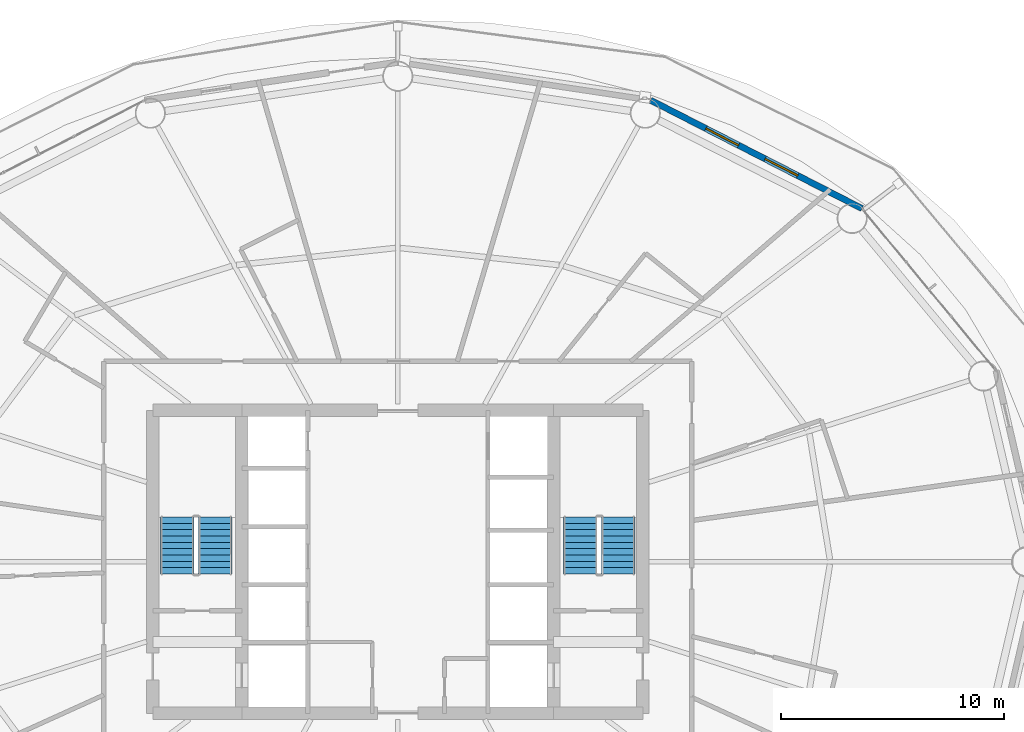
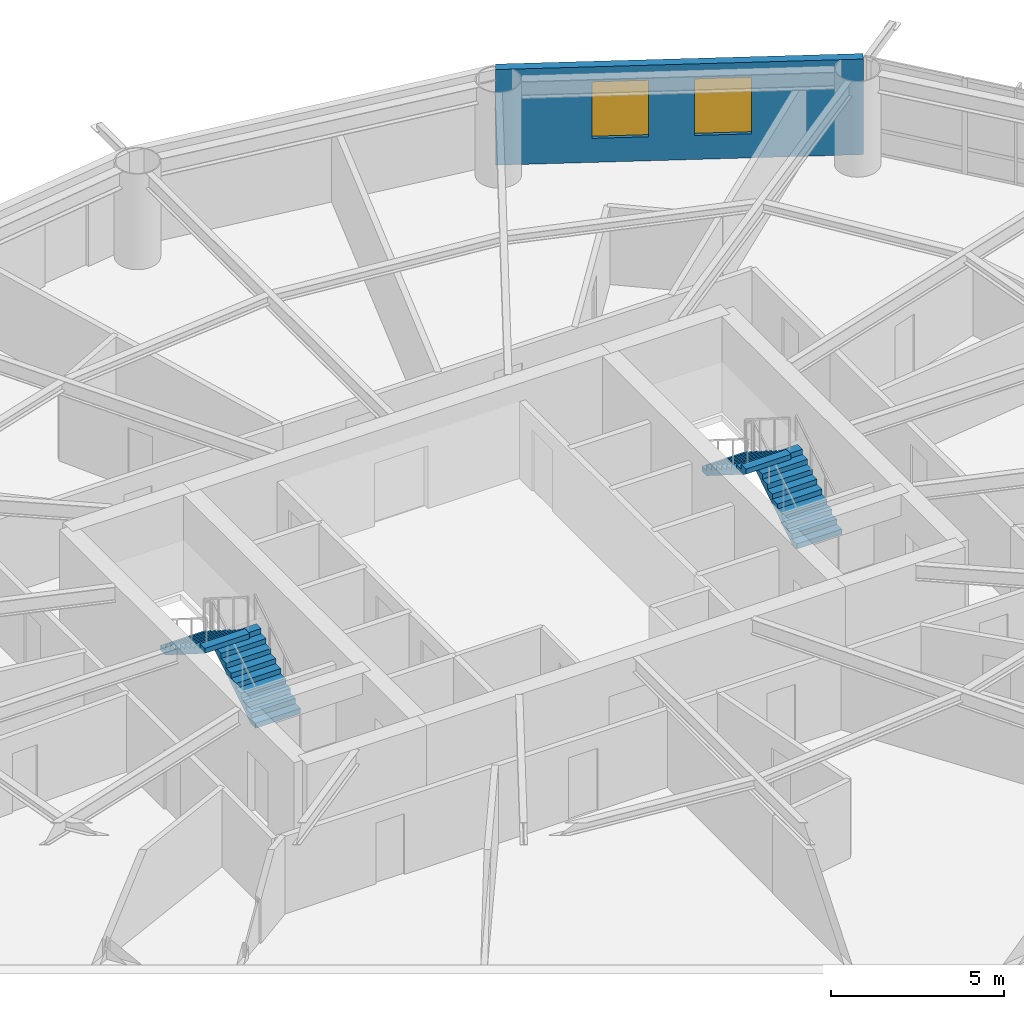
# One storey, part 21 of 24: 4 stair flights, 2 windows, 1 wall, 2 openings, 2 elements without a shape of their own.
"""IFC4 building model written with IfcOpenShell, lengths in metres."""

from ifc_helpers import new_model, si_unit, direction, frame, frame_2d, origin, place, context, subcontext, project, spatial, polyline, rectangle, outline, extrude, material, layer, layer_set, type_object, element, fill, aggregate, save


model = new_model("IFC4")

# Units and contexts
model_context = context("Model", 3, precision=1e-05, world=origin(), true_north=direction((0.0, 1.0)))
body_context = subcontext(model_context, "Body", "Model", "MODEL_VIEW")
ifc_project = project(units=[si_unit("LENGTHUNIT", "METRE"), si_unit("AREAUNIT", "SQUARE_METRE"), si_unit("VOLUMEUNIT", "CUBIC_METRE"), si_unit("PLANEANGLEUNIT", "RADIAN"), si_unit("MASSUNIT", "GRAM", prefix="KILO")], contexts=[model_context])

# Site, building, storey
site_placement = place(None, origin())
site = spatial("IfcSite", under=ifc_project, at=site_placement, CompositionType="ELEMENT")
building_placement = place(site_placement, origin())
building = spatial("IfcBuilding", under=site, at=building_placement, Name="Sarneth Arch Tower", CompositionType="ELEMENT")
storey_placement = place(building_placement, frame((0.0, 0.0, 123.60009765625)))
storey = spatial("IfcBuildingStorey", under=building, at=storey_placement, Name="L31", CompositionType="ELEMENT", Elevation=123.60009765625)

# Wall, openings, windows
ifc_material_1 = material(Name="Extruded terracotta rainscreen on Concrete C40/50 backing", Category="masonry")
ifc_layer = layer(ifc_material_1, 0.280029296875)
ifc_layer_set = layer_set([ifc_layer], Name="Extruded terracotta rainscreen on Concrete C40/50 backing")
wall_type = type_object("IfcWallType", Name="WALL-EXT-TERRA-280", PredefinedType="SOLIDWALL", material=ifc_layer_set)
wall_placement = place(storey_placement, frame((68.840087890625, 57.8603515625, 0.0), z_axis=(0.0, 0.0, 1.0), x_axis=(-0.889959505023, 0.45603955905, 0.0)))
wall = element("IfcWall", 1, at=wall_placement, inside=storey, type_object=wall_type, Name="L31 Terracotta perimeter wall 03", PredefinedType="SOLIDWALL", context=body_context, shape_type="SweptSolid", body=[
    extrude(rectangle(XDim=10.662109375, YDim=0.280029296875, at=frame_2d((5.3310546875, 0.0))), origin(), (0.0, 0.0, 1.0), 3.3798828125),
])
opening_1_placement = place(wall_placement, frame((3.242431640625, 0.0, 0.85009765625)))
opening_1 = element("IfcOpeningElement", 2, at=opening_1_placement, cuts=wall, Name="Opening W-05", PredefinedType="OPENING", context=body_context, shape_type="SweptSolid", body=[
    extrude(rectangle(XDim=1.64990234375, YDim=2.0, at=frame_2d((0.824951171875, 1.0))), frame((0.0, 0.14990234375, 0.0), z_axis=(0.0, -1.0, 0.0), x_axis=(1.0, 0.0, 0.0)), (0.0, 0.0, 1.0), 0.300048828125),
])
opening_2_placement = place(wall_placement, frame((6.226806640625, 0.0, 0.85009765625)))
opening_2 = element("IfcOpeningElement", 3, at=opening_2_placement, cuts=wall, Name="Opening W-05", PredefinedType="OPENING", context=body_context, shape_type="SweptSolid", body=[
    extrude(rectangle(XDim=1.64990234375, YDim=2.0, at=frame_2d((0.824951171875, 1.0))), frame((0.0, 0.14990234375, 0.0), z_axis=(0.0, -1.0, 0.0), x_axis=(1.0, 0.0, 0.0)), (0.0, 0.0, 1.0), 0.300048828125),
])
ifc_material_2 = material(Name="Thermally broken Aluminium 6063-T6 and low-e laminated IGU", Category="aluminium")
window_type = type_object("IfcWindowType", Name="WIN-TWR-1650x2000", PartitioningType="DOUBLE_PANEL_VERTICAL", PredefinedType="WINDOW", material=ifc_material_2)
window_1_placement = place(opening_1_placement, origin())
window_1 = element("IfcWindow", 4, at=window_1_placement, inside=storey, type_object=window_type, Name="L31 Exterior window 03A", OverallHeight=2.0, OverallWidth=1.64990234375, PartitioningType="SINGLE_PANEL", PredefinedType="WINDOW", context=body_context, shape_type="SweptSolid", body=[
    extrude(rectangle(XDim=1.64990234375, YDim=2.0, at=frame_2d((0.824951171875, 1.0))), frame((0.0, 0.030029296875, 0.0), z_axis=(0.0, -1.0, 0.0), x_axis=(1.0, 0.0, 0.0)), (0.0, 0.0, 1.0), 0.06005859375),
])
fill(opening_1, window_1)
window_2_placement = place(opening_2_placement, origin())
window_2 = element("IfcWindow", 5, at=window_2_placement, inside=storey, type_object=window_type, Name="L31 Exterior window 03B", OverallHeight=2.0, OverallWidth=1.64990234375, PartitioningType="SINGLE_PANEL", PredefinedType="WINDOW", context=body_context, shape_type="SweptSolid", body=[
    extrude(rectangle(XDim=1.64990234375, YDim=2.0, at=frame_2d((0.824951171875, 1.0))), frame((0.0, 0.030029296875, 0.0), z_axis=(0.0, -1.0, 0.0), x_axis=(1.0, 0.0, 0.0)), (0.0, 0.0, 1.0), 0.06005859375),
])
fill(opening_2, window_2)

# Stair, stair flights
ifc_material_3 = material(Name="Concrete C50/60", Category="concrete")
stair_type = type_object("IfcStairType", Name="STAIR-CORE-RC", PredefinedType="HALF_TURN_STAIR", material=ifc_material_3)
stair_1_placement = place(storey_placement, origin())
stair_1 = element("IfcStair", 6, at=stair_1_placement, inside=storey, type_object=stair_type, Name="L31 Core Exit Stair 1", PredefinedType="HALF_TURN_STAIR")
ifc_material_4 = material(Name="Concrete C50/60", Category="concrete")
stair_flight_type = type_object("IfcStairFlightType", Name="FLIGHT-RC-1500", PredefinedType="STRAIGHT", material=ifc_material_4)
stair_flight_1_placement = place(storey_placement, frame((39.800048828125, 41.449951171875, 0.0), z_axis=(0.0, 0.0, 1.0), x_axis=(0.0, 1.0, 0.0)))
stair_flight_1 = element("IfcStairFlight", 7, at=stair_flight_1_placement, type_object=stair_flight_type, Name="ST-1 flight 1", NumberOfRisers=10, NumberOfTreads=9, PredefinedType="STRAIGHT", RiserHeight=0.18, TreadLength=0.285, context=body_context, shape_type="SweptSolid", body=[
    extrude(outline(polyline([(0.0, 0.0), (0.0, 0.179931640625), (0.284912109375, 0.179931640625), (0.284912109375, 0.360107421875), (0.570068359375, 0.360107421875), (0.570068359375, 0.5400390625), (0.85498046875, 0.5400390625), (0.85498046875, 0.719970703125), (1.139892578125, 0.719970703125), (1.139892578125, 0.89990234375), (1.425048828125, 0.89990234375), (1.425048828125, 1.080078125), (1.7099609375, 1.080078125), (1.7099609375, 1.260009765625), (1.9951171875, 1.260009765625), (1.9951171875, 1.43994140625), (2.280029296875, 1.43994140625), (2.280029296875, 1.6201171875), (2.56494140625, 1.6201171875), (2.56494140625, 1.800048828125), (2.56494140625, 1.442626953125), (0.28076171875, 0.0), (0.0, 0.0)])), frame((0.0, 0.75, 0.0), z_axis=(0.0, -1.0, 0.0), x_axis=(1.0, 0.0, 0.0)), (0.0, 0.0, 1.0), 1.5),
])
stair_flight_2_placement = place(storey_placement, frame((38.10009765625, 44.014892578125, 1.7998046875), z_axis=(0.0, 0.0, 1.0), x_axis=(0.0, -1.0, 0.0)))
stair_flight_2 = element("IfcStairFlight", 8, at=stair_flight_2_placement, type_object=stair_flight_type, Name="ST-1 flight 2", NumberOfRisers=10, NumberOfTreads=9, PredefinedType="STRAIGHT", RiserHeight=0.18, TreadLength=0.285, context=body_context, shape_type="SweptSolid", body=[
    extrude(outline(polyline([(0.0, 0.0), (0.0, 0.179931640625), (0.284912109375, 0.179931640625), (0.284912109375, 0.360107421875), (0.570068359375, 0.360107421875), (0.570068359375, 0.5400390625), (0.85498046875, 0.5400390625), (0.85498046875, 0.719970703125), (1.139892578125, 0.719970703125), (1.139892578125, 0.89990234375), (1.425048828125, 0.89990234375), (1.425048828125, 1.080078125), (1.7099609375, 1.080078125), (1.7099609375, 1.260009765625), (1.9951171875, 1.260009765625), (1.9951171875, 1.43994140625), (2.280029296875, 1.43994140625), (2.280029296875, 1.6201171875), (2.56494140625, 1.6201171875), (2.56494140625, 1.800048828125), (2.56494140625, 1.442626953125), (0.28076171875, 0.0), (0.0, 0.0)])), frame((0.0, 0.75, 0.0), z_axis=(0.0, -1.0, 0.0), x_axis=(1.0, 0.0, 0.0)), (0.0, 0.0, 1.0), 1.5),
])
aggregate(stair_1, [stair_flight_1, stair_flight_2])

stair_2_placement = place(storey_placement, origin())
stair_2 = element("IfcStair", 9, at=stair_2_placement, inside=storey, type_object=stair_type, Name="L31 Core Exit Stair 2", PredefinedType="HALF_TURN_STAIR")
stair_flight_3_placement = place(storey_placement, frame((57.89990234375, 41.449951171875, 0.0), z_axis=(0.0, 0.0, 1.0), x_axis=(0.0, 1.0, 0.0)))
stair_flight_3 = element("IfcStairFlight", 10, at=stair_flight_3_placement, type_object=stair_flight_type, Name="ST-2 flight 1", NumberOfRisers=10, NumberOfTreads=9, PredefinedType="STRAIGHT", RiserHeight=0.18, TreadLength=0.285, context=body_context, shape_type="SweptSolid", body=[
    extrude(outline(polyline([(0.0, 0.0), (0.0, 0.179931640625), (0.284912109375, 0.179931640625), (0.284912109375, 0.360107421875), (0.570068359375, 0.360107421875), (0.570068359375, 0.5400390625), (0.85498046875, 0.5400390625), (0.85498046875, 0.719970703125), (1.139892578125, 0.719970703125), (1.139892578125, 0.89990234375), (1.425048828125, 0.89990234375), (1.425048828125, 1.080078125), (1.7099609375, 1.080078125), (1.7099609375, 1.260009765625), (1.9951171875, 1.260009765625), (1.9951171875, 1.43994140625), (2.280029296875, 1.43994140625), (2.280029296875, 1.6201171875), (2.56494140625, 1.6201171875), (2.56494140625, 1.800048828125), (2.56494140625, 1.442626953125), (0.28076171875, 0.0), (0.0, 0.0)])), frame((0.0, 0.75, 0.0), z_axis=(0.0, -1.0, 0.0), x_axis=(1.0, 0.0, 0.0)), (0.0, 0.0, 1.0), 1.5),
])
stair_flight_4_placement = place(storey_placement, frame((56.199951171875, 44.014892578125, 1.7998046875), z_axis=(0.0, 0.0, 1.0), x_axis=(0.0, -1.0, 0.0)))
stair_flight_4 = element("IfcStairFlight", 11, at=stair_flight_4_placement, type_object=stair_flight_type, Name="ST-2 flight 2", NumberOfRisers=10, NumberOfTreads=9, PredefinedType="STRAIGHT", RiserHeight=0.18, TreadLength=0.285, context=body_context, shape_type="SweptSolid", body=[
    extrude(outline(polyline([(0.0, 0.0), (0.0, 0.179931640625), (0.284912109375, 0.179931640625), (0.284912109375, 0.360107421875), (0.570068359375, 0.360107421875), (0.570068359375, 0.5400390625), (0.85498046875, 0.5400390625), (0.85498046875, 0.719970703125), (1.139892578125, 0.719970703125), (1.139892578125, 0.89990234375), (1.425048828125, 0.89990234375), (1.425048828125, 1.080078125), (1.7099609375, 1.080078125), (1.7099609375, 1.260009765625), (1.9951171875, 1.260009765625), (1.9951171875, 1.43994140625), (2.280029296875, 1.43994140625), (2.280029296875, 1.6201171875), (2.56494140625, 1.6201171875), (2.56494140625, 1.800048828125), (2.56494140625, 1.442626953125), (0.28076171875, 0.0), (0.0, 0.0)])), frame((0.0, 0.75, 0.0), z_axis=(0.0, -1.0, 0.0), x_axis=(1.0, 0.0, 0.0)), (0.0, 0.0, 1.0), 1.5),
])
aggregate(stair_2, [stair_flight_3, stair_flight_4])

save(model, "model.ifc")
